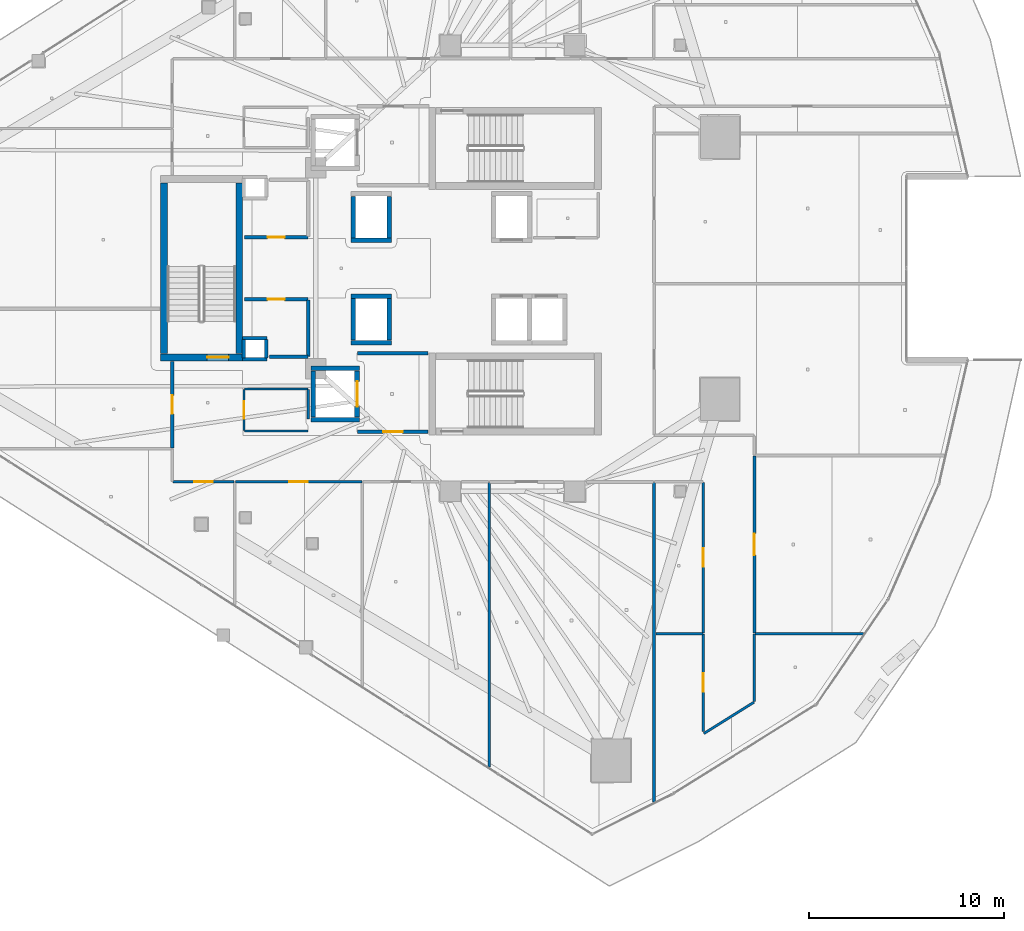
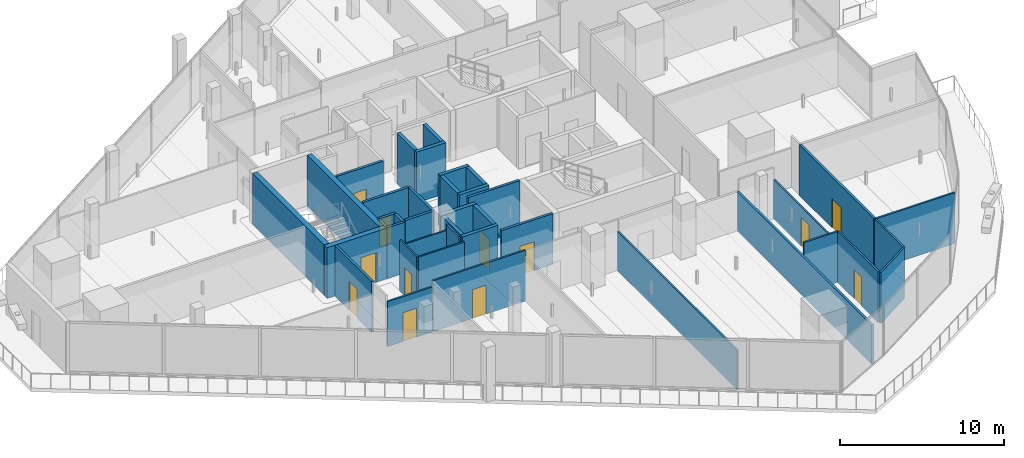
# One storey, part 23 of 35: 40 walls, 12 doors, 12 openings.
"""IFC4 building model written with IfcOpenShell, lengths in metres."""

from ifc_helpers import new_model, si_unit, direction, frame, frame_2d, origin, place, context, subcontext, project, spatial, rectangle, extrude, material, layer, layer_set, type_object, element, fill, save


model = new_model("IFC4")

# Units and contexts
model_context = context("Model", 3, precision=1e-05, world=origin(), true_north=direction((0.0, 1.0)))
body_context = subcontext(model_context, "Body", "Model", "MODEL_VIEW")
ifc_project = project(units=[si_unit("LENGTHUNIT", "METRE"), si_unit("AREAUNIT", "SQUARE_METRE"), si_unit("VOLUMEUNIT", "CUBIC_METRE"), si_unit("PLANEANGLEUNIT", "RADIAN"), si_unit("MASSUNIT", "GRAM", prefix="KILO")], contexts=[model_context])

# Site, building, storey
site_placement = place(None, origin())
site = spatial("IfcSite", under=ifc_project, at=site_placement, CompositionType="ELEMENT")
building_placement = place(site_placement, origin())
building = spatial("IfcBuilding", under=site, at=building_placement, Name="Qorvath Tower", CompositionType="ELEMENT")
storey_placement = place(building_placement, frame((0.0, 0.0, 166.5)))
storey = spatial("IfcBuildingStorey", under=building, at=storey_placement, Name="L38", CompositionType="ELEMENT", Elevation=166.5)

# Walls
ifc_material_1 = material(Name="Gypsum shaftliner on steel studs", Category="steel")
ifc_layer_1 = layer(ifc_material_1, 0.179931640625)
ifc_layer_set_1 = layer_set([ifc_layer_1], Name="FW-LOBBY")
wall_type_1 = type_object("IfcWallType", Name="FW-LOBBY", PredefinedType="PARTITIONING", material=ifc_layer_set_1)
for number, where, z_axis, x_axis, name in (
    (1, (-32.989990234375, -4.675048828125, 0.0), (0.0, 0.0, 1.0), (-1.0, 0.0, 0.0), "MEP Riser Shaft Enclosure Wall S-L38-S"),
    (2, (-34.260009765625, -3.594970703125, 0.0), (0.0, 0.0, 1.0), (1.0, 0.0, 0.0), "MEP Riser Shaft Enclosure Wall S-L38-N"),
):
    element("IfcWall", number, at=place(storey_placement, frame(where, z_axis=z_axis, x_axis=x_axis)), inside=storey, type_object=wall_type_1, Name=name, PredefinedType="PARTITIONING", context=body_context, shape_type="SweptSolid", body=[
        extrude(rectangle(XDim=1.27001953125, YDim=0.179931640625, at=frame_2d((0.635009765625, 0.0))), origin(), (0.0, 0.0, 1.0), 3.780029296875),
    ])
for number, where, z_axis, x_axis, name in (
    (3, (-34.205078125, -4.610107421875, 0.0), (0.0, 0.0, 1.0), (0.0, 1.0, 0.0), "MEP Riser Shaft Enclosure Wall S-L38-W"),
    (4, (-33.044921875, -3.659912109375, 0.0), (0.0, 0.0, 1.0), (0.0, -1.0, 0.0), "MEP Riser Shaft Enclosure Wall S-L38-E"),
):
    element("IfcWall", number, at=place(storey_placement, frame(where, z_axis=z_axis, x_axis=x_axis)), inside=storey, type_object=wall_type_1, Name=name, PredefinedType="PARTITIONING", context=body_context, shape_type="SweptSolid", body=[
        extrude(rectangle(XDim=0.9501953125, YDim=0.179931640625, at=frame_2d((0.47509765625, 0.0))), origin(), (0.0, 0.0, 1.0), 3.780029296875),
    ])

# Wall, opening, door
wall_1_placement = place(storey_placement, frame((-28.35498046875, -8.39990234375, 0.0), z_axis=(0.0, 0.0, 1.0), x_axis=(1.0, 0.0, 0.0)))
wall_1 = element("IfcWall", 5, at=wall_1_placement, inside=storey, type_object=wall_type_1, Name="Interior Partition IW-T1-L38-003", PredefinedType="PARTITIONING", context=body_context, shape_type="SweptSolid", body=[
    extrude(rectangle(XDim=3.6220703125, YDim=0.179931640625, at=frame_2d((1.81103515625, 0.0))), origin(), (0.0, 0.0, 1.0), 3.780029296875),
])
opening_1_placement = place(wall_1_placement, frame((1.31103515625, 0.0, 0.0)))
opening_1 = element("IfcOpeningElement", 6, at=opening_1_placement, cuts=wall_1, Name="Opening D-T1-L38-24", PredefinedType="OPENING", context=body_context, shape_type="SweptSolid", body=[
    extrude(rectangle(XDim=1.0, YDim=2.14990234375, at=frame_2d((0.5, 1.074951171875))), frame((0.0, 0.10009765625, 0.0), z_axis=(0.0, -1.0, 0.0), x_axis=(1.0, 0.0, 0.0)), (0.0, 0.0, 1.0), 0.199951171875),
])
ifc_material_2 = material(Name="Painted galvanised hollow metal", Category="steel")
door_type_1 = type_object("IfcDoorType", Name="FD-60", OperationType="NOTDEFINED", PredefinedType="DOOR", material=ifc_material_2)
door_1_placement = place(opening_1_placement, origin())
door_1 = element("IfcDoor", 7, at=door_1_placement, inside=storey, type_object=door_type_1, Name="Lobby Fire Service Elevator South Door D-T1-L38-24", OperationType="SINGLE_SWING_LEFT", OverallHeight=2.14990234375, OverallWidth=1.0, PredefinedType="DOOR", context=body_context, shape_type="SweptSolid", body=[
    extrude(rectangle(XDim=1.0, YDim=2.14990234375, at=frame_2d((0.5, 1.074951171875))), frame((0.0, 0.02490234375, 0.0), z_axis=(0.0, -1.0, 0.0), x_axis=(1.0, 0.0, 0.0)), (0.0, 0.0, 1.0), 0.050048828125),
])
fill(opening_1, door_1)

# Wall
wall_2_placement = place(storey_placement, frame((-24.73291015625, -4.35009765625, 0.0), z_axis=(0.0, 0.0, 1.0), x_axis=(-1.0, 0.0, 0.0)))
element("IfcWall", 8, at=wall_2_placement, inside=storey, type_object=wall_type_1, Name="Interior Partition IW-T1-L38-004", PredefinedType="PARTITIONING", context=body_context, shape_type="SweptSolid", body=[
    extrude(rectangle(XDim=3.6220703125, YDim=0.179931640625, at=frame_2d((1.81103515625, 0.0))), origin(), (0.0, 0.0, 1.0), 3.780029296875),
])

# Wall, opening, door
wall_3_placement = place(storey_placement, frame((-34.15478515625, 1.60009765625, 0.0), z_axis=(0.0, 0.0, 1.0), x_axis=(1.0, 0.0, 0.0)))
wall_3 = element("IfcWall", 9, at=wall_3_placement, inside=storey, type_object=wall_type_1, Name="Interior Partition IW-T1-L38-015", PredefinedType="PARTITIONING", context=body_context, shape_type="SweptSolid", body=[
    extrude(rectangle(XDim=3.25, YDim=0.179931640625, at=frame_2d((1.625, 0.0))), origin(), (0.0, 0.0, 1.0), 3.780029296875),
])
opening_2_placement = place(wall_3_placement, frame((1.18505859375, 0.0, 0.0)))
opening_2 = element("IfcOpeningElement", 10, at=opening_2_placement, cuts=wall_3, Name="Opening D-T1-L38-04", PredefinedType="OPENING", context=body_context, shape_type="SweptSolid", body=[
    extrude(rectangle(XDim=0.8798828125, YDim=2.10009765625, at=frame_2d((0.43994140625, 1.050048828125))), frame((0.0, 0.10009765625, 0.0), z_axis=(0.0, -1.0, 0.0), x_axis=(1.0, 0.0, 0.0)), (0.0, 0.0, 1.0), 0.199951171875),
])
ifc_material_3 = material(Name="Painted galvanised hollow metal", Category="steel")
door_type_2 = type_object("IfcDoorType", Name="FD-60N", OperationType="NOTDEFINED", PredefinedType="DOOR", material=ifc_material_3)
door_2_placement = place(opening_2_placement, origin())
door_2 = element("IfcDoor", 11, at=door_2_placement, inside=storey, type_object=door_type_2, Name="Core telecom and comms room L38 Door D-T1-L38-04", OperationType="SINGLE_SWING_LEFT", OverallHeight=2.10009765625, OverallWidth=0.8798828125, PredefinedType="DOOR", context=body_context, shape_type="SweptSolid", body=[
    extrude(rectangle(XDim=0.8798828125, YDim=2.10009765625, at=frame_2d((0.43994140625, 1.050048828125))), frame((0.0, 0.02490234375, 0.0), z_axis=(0.0, -1.0, 0.0), x_axis=(1.0, 0.0, 0.0)), (0.0, 0.0, 1.0), 0.050048828125),
])
fill(opening_2, door_2)

# Walls
wall_4_placement = place(storey_placement, frame((-32.8798828125, -4.5400390625, 0.0), z_axis=(0.0, 0.0, 1.0), x_axis=(1.0, 0.0, 0.0)))
element("IfcWall", 12, at=wall_4_placement, inside=storey, type_object=wall_type_1, Name="Interior Partition IW-T1-L38-018", PredefinedType="PARTITIONING", context=body_context, shape_type="SweptSolid", body=[
    extrude(rectangle(XDim=1.97509765625, YDim=0.179931640625, at=frame_2d((0.987548828125, 0.0))), origin(), (0.0, 0.0, 1.0), 3.780029296875),
])
wall_5_placement = place(storey_placement, frame((-30.8798828125, -4.514892578125, 0.0), z_axis=(0.0, 0.0, 1.0), x_axis=(0.0, 1.0, 0.0)))
element("IfcWall", 13, at=wall_5_placement, inside=storey, type_object=wall_type_1, Name="Interior Partition IW-T1-L38-019", PredefinedType="PARTITIONING", context=body_context, shape_type="SweptSolid", body=[
    extrude(rectangle(XDim=2.889892578125, YDim=0.179931640625, at=frame_2d((1.44482421875, 0.0))), origin(), (0.0, 0.0, 1.0), 3.780029296875),
])

# Wall, opening, door
wall_6_placement = place(storey_placement, frame((-30.90478515625, -1.60009765625, 0.0), z_axis=(0.0, 0.0, 1.0), x_axis=(-1.0, 0.0, 0.0)))
wall_6 = element("IfcWall", 14, at=wall_6_placement, inside=storey, type_object=wall_type_1, Name="Interior Partition IW-T1-L38-020", PredefinedType="PARTITIONING", context=body_context, shape_type="SweptSolid", body=[
    extrude(rectangle(XDim=3.25, YDim=0.179931640625, at=frame_2d((1.625, 0.0))), origin(), (0.0, 0.0, 1.0), 3.780029296875),
])
opening_3_placement = place(wall_6_placement, frame((1.18505859375, 0.0, 0.0)))
opening_3 = element("IfcOpeningElement", 15, at=opening_3_placement, cuts=wall_6, Name="Opening D-T1-L38-05", PredefinedType="OPENING", context=body_context, shape_type="SweptSolid", body=[
    extrude(rectangle(XDim=0.8798828125, YDim=2.10009765625, at=frame_2d((0.43994140625, 1.050048828125))), frame((0.0, 0.10009765625, 0.0), z_axis=(0.0, -1.0, 0.0), x_axis=(1.0, 0.0, 0.0)), (0.0, 0.0, 1.0), 0.199951171875),
])
door_3_placement = place(opening_3_placement, origin())
door_3 = element("IfcDoor", 16, at=door_3_placement, inside=storey, type_object=door_type_2, Name="Core housekeeping store L38 Door D-T1-L38-05", OperationType="SINGLE_SWING_RIGHT", OverallHeight=2.10009765625, OverallWidth=0.8798828125, PredefinedType="DOOR", context=body_context, shape_type="SweptSolid", body=[
    extrude(rectangle(XDim=0.8798828125, YDim=2.10009765625, at=frame_2d((0.43994140625, 1.050048828125))), frame((0.0, 0.02490234375, 0.0), z_axis=(0.0, -1.0, 0.0), x_axis=(1.0, 0.0, 0.0)), (0.0, 0.0, 1.0), 0.050048828125),
])
fill(opening_3, door_3)

# Wall
ifc_material_4 = material(Name="Double acoustic gypsum board on steel studs", Category="steel")
ifc_layer_2 = layer(ifc_material_4, 0.159912109375)
ifc_layer_set_2 = layer_set([ifc_layer_2], Name="IW-ACOUSTIC-160")
wall_type_2 = type_object("IfcWallType", Name="IW-ACOUSTIC-160", PredefinedType="PARTITIONING", material=ifc_layer_set_2)
wall_7_placement = place(storey_placement, frame((-13.14990234375, -27.37939453125, 0.0), z_axis=(0.0, 0.0, 1.0), x_axis=(0.0, 1.0, 0.0)))
element("IfcWall", 17, at=wall_7_placement, inside=storey, type_object=wall_type_2, Name="Interior Partition IW-T1-L38-040", PredefinedType="PARTITIONING", context=body_context, shape_type="SweptSolid", body=[
    extrude(rectangle(XDim=16.396484375, YDim=0.159912109375, at=frame_2d((8.1982421875, 0.0))), origin(), (0.0, 0.0, 1.0), 2.89990234375),
])

# Wall, opening, door
wall_8_placement = place(storey_placement, frame((-7.991943359375, -9.626708984375, 0.0), z_axis=(0.0, 0.0, 1.0), x_axis=(0.0, -1.0, 0.0)))
wall_8 = element("IfcWall", 18, at=wall_8_placement, inside=storey, type_object=wall_type_2, Name="Interior Partition IW-T1-L38-048", PredefinedType="PARTITIONING", context=body_context, shape_type="SweptSolid", body=[
    extrude(rectangle(XDim=9.08447265625, YDim=0.159912109375, at=frame_2d((4.542236328125, 0.0))), origin(), (0.0, 0.0, 1.0), 3.780029296875),
])
opening_4_placement = place(wall_8_placement, frame((3.9921875, 0.0, 0.0)))
opening_4 = element("IfcOpeningElement", 19, at=opening_4_placement, cuts=wall_8, Name="Opening D-T1-L38-14", PredefinedType="OPENING", context=body_context, shape_type="SweptSolid", body=[
    extrude(rectangle(XDim=1.10009765625, YDim=2.14990234375, at=frame_2d((0.550048828125, 1.074951171875))), frame((0.0, 0.08984375, 0.0), z_axis=(0.0, -1.0, 0.0), x_axis=(1.0, 0.0, 0.0)), (0.0, 0.0, 1.0), 0.179931640625),
])
ifc_material_5 = material(Name="Anodised aluminium acoustic framed glass", Category="aluminium")
door_type_3 = type_object("IfcDoorType", Name="D-03", OperationType="NOTDEFINED", PredefinedType="DOOR", material=ifc_material_5)
door_4_placement = place(opening_4_placement, origin())
door_4 = element("IfcDoor", 20, at=door_4_placement, inside=storey, type_object=door_type_3, Name="L38-09 Team Project Office Door D-T1-L38-14", OperationType="SINGLE_SWING_LEFT", OverallHeight=2.14990234375, OverallWidth=1.10009765625, PredefinedType="DOOR", context=body_context, shape_type="SweptSolid", body=[
    extrude(rectangle(XDim=1.10009765625, YDim=2.14990234375, at=frame_2d((0.550048828125, 1.074951171875))), frame((0.0, 0.02490234375, 0.0), z_axis=(0.0, -1.0, 0.0), x_axis=(1.0, 0.0, 0.0)), (0.0, 0.0, 1.0), 0.050048828125),
])
fill(opening_4, door_4)

wall_9_placement = place(storey_placement, frame((-37.85791015625, -9.21728515625, 0.0), z_axis=(0.0, 0.0, 1.0), x_axis=(0.0, 1.0, 0.0)))
wall_9 = element("IfcWall", 21, at=wall_9_placement, inside=storey, type_object=wall_type_2, Name="Interior Partition IW-T1-L38-064", PredefinedType="PARTITIONING", context=body_context, shape_type="SweptSolid", body=[
    extrude(rectangle(XDim=4.43408203125, YDim=0.159912109375, at=frame_2d((2.217041015625, 0.0))), origin(), (0.0, 0.0, 1.0), 3.780029296875),
])
opening_5_placement = place(wall_9_placement, frame((1.741943359375, 0.0, 0.0)))
opening_5 = element("IfcOpeningElement", 22, at=opening_5_placement, cuts=wall_9, Name="Opening D-T1-L38-20", PredefinedType="OPENING", context=body_context, shape_type="SweptSolid", body=[
    extrude(rectangle(XDim=0.949951171875, YDim=2.14990234375, at=frame_2d((0.47509765625, 1.074951171875))), frame((0.0, 0.08984375, 0.0), z_axis=(0.0, -1.0, 0.0), x_axis=(1.0, 0.0, 0.0)), (0.0, 0.0, 1.0), 0.179931640625),
])
ifc_material_6 = material(Name="Solid-core American white oak veneer", Category="wood")
door_type_4 = type_object("IfcDoorType", Name="D-01", OperationType="NOTDEFINED", PredefinedType="DOOR", material=ifc_material_6)
door_5_placement = place(opening_5_placement, origin())
door_5 = element("IfcDoor", 23, at=door_5_placement, inside=storey, type_object=door_type_4, Name="L38-15 Staff Wellness Studio Door D-T1-L38-20", OperationType="SINGLE_SWING_LEFT", OverallHeight=2.14990234375, OverallWidth=0.949951171875, PredefinedType="DOOR", context=body_context, shape_type="SweptSolid", body=[
    extrude(rectangle(XDim=0.949951171875, YDim=2.14990234375, at=frame_2d((0.47509765625, 1.074951171875))), frame((0.0, 0.02490234375, 0.0), z_axis=(0.0, -1.0, 0.0), x_axis=(1.0, 0.0, 0.0)), (0.0, 0.0, 1.0), 0.050048828125),
])
fill(opening_5, door_5)

ifc_material_7 = material(Name="Gypsum board on metal studs with mineral wool", Category="gypsum")
ifc_layer_3 = layer(ifc_material_7, 0.125)
ifc_layer_set_3 = layer_set([ifc_layer_3], Name="IW-PART-125")
wall_type_3 = type_object("IfcWallType", Name="IW-PART-125", PredefinedType="PARTITIONING", material=ifc_layer_set_3)
wall_10_placement = place(storey_placement, frame((-28.126708984375, -10.9580078125, 0.0), z_axis=(0.0, 0.0, 1.0), x_axis=(-1.0, 0.0, 0.0)))
wall_10 = element("IfcWall", 24, at=wall_10_placement, inside=storey, type_object=wall_type_3, Name="Interior Partition IW-T1-L38-034", PredefinedType="PARTITIONING", context=body_context, shape_type="SweptSolid", body=[
    extrude(rectangle(XDim=6.498291015625, YDim=0.125, at=frame_2d((3.2490234375, 0.0))), origin(), (0.0, 0.0, 1.0), 3.780029296875),
])
opening_6_placement = place(wall_10_placement, frame((2.774169921875, 0.0, 0.0)))
opening_6 = element("IfcOpeningElement", 25, at=opening_6_placement, cuts=wall_10, Name="Opening D-T1-L38-10", PredefinedType="OPENING", context=body_context, shape_type="SweptSolid", body=[
    extrude(rectangle(XDim=0.949951171875, YDim=2.14990234375, at=frame_2d((0.47509765625, 1.074951171875))), frame((0.0, 0.072509765625, 0.0), z_axis=(0.0, -1.0, 0.0), x_axis=(1.0, 0.0, 0.0)), (0.0, 0.0, 1.0), 0.14501953125),
])
door_6_placement = place(opening_6_placement, origin())
door_6 = element("IfcDoor", 26, at=door_6_placement, inside=storey, type_object=door_type_4, Name="L38-05 Executive Partner Office Door D-T1-L38-10", OperationType="SINGLE_SWING_LEFT", OverallHeight=2.14990234375, OverallWidth=0.949951171875, PredefinedType="DOOR", context=body_context, shape_type="SweptSolid", body=[
    extrude(rectangle(XDim=0.949951171875, YDim=2.14990234375, at=frame_2d((0.47509765625, 1.074951171875))), frame((0.0, 0.02490234375, 0.0), z_axis=(0.0, -1.0, 0.0), x_axis=(1.0, 0.0, 0.0)), (0.0, 0.0, 1.0), 0.050048828125),
])
fill(opening_6, door_6)

# Walls
wall_11_placement = place(storey_placement, frame((-21.606201171875, -25.58447265625, 0.0), z_axis=(0.0, 0.0, 1.0), x_axis=(0.0, 1.0, 0.0)))
element("IfcWall", 27, at=wall_11_placement, inside=storey, type_object=wall_type_3, Name="Interior Partition IW-T1-L38-037", PredefinedType="PARTITIONING", context=body_context, shape_type="SweptSolid", body=[
    extrude(rectangle(XDim=14.6015625, YDim=0.125, at=frame_2d((7.30078125, 0.0))), origin(), (0.0, 0.0, 1.0), 2.89501953125),
])
wall_12_placement = place(storey_placement, frame((-2.39990234375, -18.744140625, 0.0), z_axis=(0.0, 0.0, 1.0), x_axis=(-1.0, 0.0, 0.0)))
element("IfcWall", 28, at=wall_12_placement, inside=storey, type_object=wall_type_3, Name="Interior Partition IW-T1-L38-042", PredefinedType="PARTITIONING", context=body_context, shape_type="SweptSolid", body=[
    extrude(rectangle(XDim=5.56689453125, YDim=0.125, at=frame_2d((2.783447265625, 0.0))), origin(), (0.0, 0.0, 1.0), 3.780029296875),
])
wall_13_placement = place(storey_placement, frame((-7.991943359375, -22.2255859375, 0.0), z_axis=(0.0, 0.0, 1.0), x_axis=(0.0, 1.0, 0.0)))
element("IfcWall", 29, at=wall_13_placement, inside=storey, type_object=wall_type_3, Name="Interior Partition IW-T1-L38-043", PredefinedType="PARTITIONING", context=body_context, shape_type="SweptSolid", body=[
    extrude(rectangle(XDim=3.45654296875, YDim=0.125, at=frame_2d((1.728271484375, 0.0))), origin(), (0.0, 0.0, 1.0), 3.780029296875),
])
wall_14_placement = place(storey_placement, frame((-10.586669921875, -23.86962890625, 0.0), z_axis=(0.0, 0.0, 1.0), x_axis=(0.848364341402, 0.529412829688, 0.0)))
element("IfcWall", 30, at=wall_14_placement, inside=storey, type_object=wall_type_3, Name="Interior Partition IW-T1-L38-044", PredefinedType="PARTITIONING", context=body_context, shape_type="SweptSolid", body=[
    extrude(rectangle(XDim=3.033447265625, YDim=0.125, at=frame_2d((1.5166015625, 0.0))), origin(), (0.0, 0.0, 1.0), 3.780029296875),
])

# Wall, opening, door
wall_15_placement = place(storey_placement, frame((-10.60791015625, -18.76904296875, 0.0), z_axis=(0.0, 0.0, 1.0), x_axis=(0.0, -1.0, 0.0)))
wall_15 = element("IfcWall", 31, at=wall_15_placement, inside=storey, type_object=wall_type_3, Name="Interior Partition IW-T1-L38-045", PredefinedType="PARTITIONING", context=body_context, shape_type="SweptSolid", body=[
    extrude(rectangle(XDim=4.988525390625, YDim=0.125, at=frame_2d((2.494140625, 0.0))), origin(), (0.0, 0.0, 1.0), 3.780029296875),
])
opening_7_placement = place(wall_15_placement, frame((2.019287109375, 0.0, 0.0)))
opening_7 = element("IfcOpeningElement", 32, at=opening_7_placement, cuts=wall_15, Name="Opening D-T1-L38-13", PredefinedType="OPENING", context=body_context, shape_type="SweptSolid", body=[
    extrude(rectangle(XDim=0.949951171875, YDim=2.14990234375, at=frame_2d((0.47509765625, 1.074951171875))), frame((0.0, 0.072509765625, 0.0), z_axis=(0.0, -1.0, 0.0), x_axis=(1.0, 0.0, 0.0)), (0.0, 0.0, 1.0), 0.14501953125),
])
door_7_placement = place(opening_7_placement, origin())
door_7 = element("IfcDoor", 33, at=door_7_placement, inside=storey, type_object=door_type_4, Name="L38-08 Quantitative Research Studio Door D-T1-L38-13", OperationType="SINGLE_SWING_RIGHT", OverallHeight=2.14990234375, OverallWidth=0.949951171875, PredefinedType="DOOR", context=body_context, shape_type="SweptSolid", body=[
    extrude(rectangle(XDim=0.949951171875, YDim=2.14990234375, at=frame_2d((0.47509765625, 1.074951171875))), frame((0.0, 0.02490234375, 0.0), z_axis=(0.0, -1.0, 0.0), x_axis=(1.0, 0.0, 0.0)), (0.0, 0.0, 1.0), 0.050048828125),
])
fill(opening_7, door_7)

# Wall
wall_16_placement = place(storey_placement, frame((-10.6328125, -18.744140625, 0.0), z_axis=(0.0, 0.0, 1.0), x_axis=(-1.0, 0.0, 0.0)))
element("IfcWall", 34, at=wall_16_placement, inside=storey, type_object=wall_type_3, Name="Interior Partition IW-T1-L38-046", PredefinedType="PARTITIONING", context=body_context, shape_type="SweptSolid", body=[
    extrude(rectangle(XDim=2.406982421875, YDim=0.125, at=frame_2d((1.20361328125, 0.0))), origin(), (0.0, 0.0, 1.0), 3.780029296875),
])

# Wall, opening, door
wall_17_placement = place(storey_placement, frame((-10.60791015625, -18.711181640625, 0.0), z_axis=(0.0, 0.0, 1.0), x_axis=(0.0, 1.0, 0.0)))
wall_17 = element("IfcWall", 35, at=wall_17_placement, inside=storey, type_object=wall_type_3, Name="Interior Partition IW-T1-L38-049", PredefinedType="PARTITIONING", context=body_context, shape_type="SweptSolid", body=[
    extrude(rectangle(XDim=7.728271484375, YDim=0.125, at=frame_2d((3.8642578125, 0.0))), origin(), (0.0, 0.0, 1.0), 2.89990234375),
])
opening_8_placement = place(wall_17_placement, frame((3.38916015625, 0.0, 0.0)))
opening_8 = element("IfcOpeningElement", 36, at=opening_8_placement, cuts=wall_17, Name="Opening D-T1-L38-15", PredefinedType="OPENING", context=body_context, shape_type="SweptSolid", body=[
    extrude(rectangle(XDim=0.949951171875, YDim=2.14990234375, at=frame_2d((0.47509765625, 1.074951171875))), frame((0.0, 0.072509765625, 0.0), z_axis=(0.0, -1.0, 0.0), x_axis=(1.0, 0.0, 0.0)), (0.0, 0.0, 1.0), 0.14501953125),
])
door_8_placement = place(opening_8_placement, origin())
door_8 = element("IfcDoor", 37, at=door_8_placement, inside=storey, type_object=door_type_4, Name="L38-10 Engineering Documentation Suite Door D-T1-L38-15", OperationType="SINGLE_SWING_RIGHT", OverallHeight=2.14990234375, OverallWidth=0.949951171875, PredefinedType="DOOR", context=body_context, shape_type="SweptSolid", body=[
    extrude(rectangle(XDim=0.949951171875, YDim=2.14990234375, at=frame_2d((0.47509765625, 1.074951171875))), frame((0.0, 0.02490234375, 0.0), z_axis=(0.0, -1.0, 0.0), x_axis=(1.0, 0.0, 0.0)), (0.0, 0.0, 1.0), 0.050048828125),
])
fill(opening_8, door_8)

wall_18_placement = place(storey_placement, frame((-34.68310546875, -10.9580078125, 0.0), z_axis=(0.0, 0.0, 1.0), x_axis=(-1.0, 0.0, 0.0)))
wall_18 = element("IfcWall", 38, at=wall_18_placement, inside=storey, type_object=wall_type_3, Name="Interior Partition IW-T1-L38-061", PredefinedType="PARTITIONING", context=body_context, shape_type="SweptSolid", body=[
    extrude(rectangle(XDim=3.14990234375, YDim=0.125, at=frame_2d((1.574951171875, 0.0))), origin(), (0.0, 0.0, 1.0), 3.34375),
])
opening_9_placement = place(wall_18_placement, frame((1.099853515625, 0.0, 0.0)))
opening_9 = element("IfcOpeningElement", 39, at=opening_9_placement, cuts=wall_18, Name="Opening D-T1-L38-19", PredefinedType="OPENING", context=body_context, shape_type="SweptSolid", body=[
    extrude(rectangle(XDim=0.949951171875, YDim=2.14990234375, at=frame_2d((0.47509765625, 1.074951171875))), frame((0.0, 0.072509765625, 0.0), z_axis=(0.0, -1.0, 0.0), x_axis=(1.0, 0.0, 0.0)), (0.0, 0.0, 1.0), 0.14501953125),
])
door_9_placement = place(opening_9_placement, origin())
door_9 = element("IfcDoor", 40, at=door_9_placement, inside=storey, type_object=door_type_4, Name="L38-14 Project Collaboration Workspace Door D-T1-L38-19", OperationType="SINGLE_SWING_RIGHT", OverallHeight=2.14990234375, OverallWidth=0.949951171875, PredefinedType="DOOR", context=body_context, shape_type="SweptSolid", body=[
    extrude(rectangle(XDim=0.949951171875, YDim=2.14990234375, at=frame_2d((0.47509765625, 1.074951171875))), frame((0.0, 0.02490234375, 0.0), z_axis=(0.0, -1.0, 0.0), x_axis=(1.0, 0.0, 0.0)), (0.0, 0.0, 1.0), 0.050048828125),
])
fill(opening_9, door_9)

ifc_material_8 = material(Name="Moisture-resistant cement board on metal studs", Category="gypsum")
ifc_layer_4 = layer(ifc_material_8, 0.110107421875)
ifc_layer_set_4 = layer_set([ifc_layer_4], Name="IW-WC-110")
wall_type_4 = type_object("IfcWallType", Name="IW-WC-110", PredefinedType="PARTITIONING", material=ifc_layer_set_4)
wall_19_placement = place(storey_placement, frame((-34.179931640625, -6.22509765625, 0.0), z_axis=(0.0, 0.0, 1.0), x_axis=(0.0, -1.0, 0.0)))
wall_19 = element("IfcWall", 41, at=wall_19_placement, inside=storey, type_object=wall_type_4, Name="Interior Partition IW-T1-L38-009", PredefinedType="PARTITIONING", context=body_context, shape_type="SweptSolid", body=[
    extrude(rectangle(XDim=2.10009765625, YDim=0.110107421875, at=frame_2d((1.050048828125, 0.0))), origin(), (0.0, 0.0, 1.0), 3.780029296875),
])
opening_10_placement = place(wall_19_placement, frame((0.610107421875, 0.0, 0.0)))
opening_10 = element("IfcOpeningElement", 42, at=opening_10_placement, cuts=wall_19, Name="Opening D-T1-L38-02", PredefinedType="OPENING", context=body_context, shape_type="SweptSolid", body=[
    extrude(rectangle(XDim=0.8798828125, YDim=2.10009765625, at=frame_2d((0.43994140625, 1.050048828125))), frame((0.0, 0.06494140625, 0.0), z_axis=(0.0, -1.0, 0.0), x_axis=(1.0, 0.0, 0.0)), (0.0, 0.0, 1.0), 0.130126953125),
])
ifc_material_9 = material(Name="Solid-core oak with acoustic drop seal", Category="wood")
door_type_5 = type_object("IfcDoorType", Name="D-02", OperationType="NOTDEFINED", PredefinedType="DOOR", material=ifc_material_9)
door_10_placement = place(opening_10_placement, origin())
door_10 = element("IfcDoor", 43, at=door_10_placement, inside=storey, type_object=door_type_5, Name="Accessible WC South L38 Door D-T1-L38-02", OperationType="SINGLE_SWING_LEFT", OverallHeight=2.10009765625, OverallWidth=0.8798828125, PredefinedType="DOOR", context=body_context, shape_type="SweptSolid", body=[
    extrude(rectangle(XDim=0.8798828125, YDim=2.10009765625, at=frame_2d((0.43994140625, 1.050048828125))), frame((0.0, 0.02490234375, 0.0), z_axis=(0.0, -1.0, 0.0), x_axis=(1.0, 0.0, 0.0)), (0.0, 0.0, 1.0), 0.050048828125),
])
fill(opening_10, door_10)

# Walls
wall_20_placement = place(storey_placement, frame((-34.15478515625, -8.35009765625, 0.0), z_axis=(0.0, 0.0, 1.0), x_axis=(1.0, 0.0, 0.0)))
element("IfcWall", 44, at=wall_20_placement, inside=storey, type_object=wall_type_4, Name="Interior Partition IW-T1-L38-010", PredefinedType="PARTITIONING", context=body_context, shape_type="SweptSolid", body=[
    extrude(rectangle(XDim=3.25, YDim=0.110107421875, at=frame_2d((1.625, 0.0))), origin(), (0.0, 0.0, 1.0), 3.780029296875),
])
wall_21_placement = place(storey_placement, frame((-30.8798828125, -7.742919921875, 0.0), z_axis=(0.0, 0.0, 1.0), x_axis=(0.0, 1.0, 0.0)))
element("IfcWall", 45, at=wall_21_placement, inside=storey, type_object=wall_type_4, Name="Interior Partition IW-T1-L38-011", PredefinedType="PARTITIONING", context=body_context, shape_type="SweptSolid", body=[
    extrude(rectangle(XDim=1.517822265625, YDim=0.110107421875, at=frame_2d((0.7587890625, 0.0))), origin(), (0.0, 0.0, 1.0), 3.780029296875),
])
wall_22_placement = place(storey_placement, frame((-30.90478515625, -6.199951171875, 0.0), z_axis=(0.0, 0.0, 1.0), x_axis=(-1.0, 0.0, 0.0)))
element("IfcWall", 46, at=wall_22_placement, inside=storey, type_object=wall_type_4, Name="Interior Partition IW-T1-L38-012", PredefinedType="PARTITIONING", context=body_context, shape_type="SweptSolid", body=[
    extrude(rectangle(XDim=3.25, YDim=0.110107421875, at=frame_2d((1.625, 0.0))), origin(), (0.0, 0.0, 1.0), 3.34375),
])
ifc_material_10 = material(Name="Concrete C60/75", Category="concrete")
ifc_layer_5 = layer(ifc_material_10, 0.260009765625)
ifc_layer_set_5 = layer_set([ifc_layer_5], Name="SW-SHAFT")
wall_type_5 = type_object("IfcWallType", Name="SW-SHAFT", PredefinedType="SHEAR", material=ifc_layer_set_5)
for number, where, z_axis, x_axis, name in (
    (47, (-28.260009765625, -7.77001953125, 0.0), (0.0, 0.0, 1.0), (-1.0, 0.0, 0.0), "Hoistway Wall FSAE-2 L38 S"),
    (48, (-30.739990234375, -5.1298828125, 0.0), (0.0, 0.0, 1.0), (1.0, 0.0, 0.0), "Hoistway Wall FSAE-2 L38 N"),
):
    element("IfcWall", number, at=place(storey_placement, frame(where, z_axis=z_axis, x_axis=x_axis)), inside=storey, type_object=wall_type_5, Name=name, PredefinedType="SHEAR", context=body_context, shape_type="SweptSolid", body=[
        extrude(rectangle(XDim=2.47998046875, YDim=0.239990234375, at=frame_2d((1.239990234375, 0.0))), origin(), (0.0, 0.0, 1.0), 3.780029296875),
    ])
wall_23_placement = place(storey_placement, frame((-30.6201171875, -7.637939453125, 0.0), z_axis=(0.0, 0.0, 1.0), x_axis=(0.0, 1.0, 0.0)))
element("IfcWall", 49, at=wall_23_placement, inside=storey, type_object=wall_type_5, Name="Hoistway Wall FSAE-2 L38 W", PredefinedType="SHEAR", context=body_context, shape_type="SweptSolid", body=[
    extrude(rectangle(XDim=2.3759765625, YDim=0.239990234375, at=frame_2d((1.18798828125, 0.0))), origin(), (0.0, 0.0, 1.0), 3.780029296875),
])

# Wall, opening, door
wall_24_placement = place(storey_placement, frame((-28.3798828125, -5.261962890625, 0.0), z_axis=(0.0, 0.0, 1.0), x_axis=(0.0, -1.0, 0.0)))
wall_24 = element("IfcWall", 50, at=wall_24_placement, inside=storey, type_object=wall_type_5, Name="Hoistway Wall FSAE-2 L38 E", PredefinedType="SHEAR", context=body_context, shape_type="SweptSolid", body=[
    extrude(rectangle(XDim=2.3759765625, YDim=0.239990234375, at=frame_2d((1.18798828125, 0.0))), origin(), (0.0, 0.0, 1.0), 3.780029296875),
])
opening_11_placement = place(wall_24_placement, frame((0.5380859375, 0.0, 0.0)))
opening_11 = element("IfcOpeningElement", 51, at=opening_11_placement, cuts=wall_24, Name="Opening LD-FSAE-2-L38", PredefinedType="OPENING", context=body_context, shape_type="SweptSolid", body=[
    extrude(rectangle(XDim=1.300048828125, YDim=2.300048828125, at=frame_2d((0.64990234375, 1.14990234375))), frame((0.0, 0.1298828125, 0.0), z_axis=(0.0, -1.0, 0.0), x_axis=(1.0, 0.0, 0.0)), (0.0, 0.0, 1.0), 0.260009765625),
])
ifc_material_11 = material(Name="Brushed stainless steel AISI 316", Category="steel")
door_type_6 = type_object("IfcDoorType", Name="LD-02", OperationType="NOTDEFINED", PredefinedType="DOOR", material=ifc_material_11)
door_11_placement = place(opening_11_placement, origin())
door_11 = element("IfcDoor", 52, at=door_11_placement, inside=storey, type_object=door_type_6, Name="Elevator Landing Sliding Door LD-FSAE-2-L38", OperationType="DOUBLE_DOOR_SLIDING", OverallHeight=2.300048828125, OverallWidth=1.300048828125, PredefinedType="DOOR", context=body_context, shape_type="SweptSolid", body=[
    extrude(rectangle(XDim=1.300048828125, YDim=2.300048828125, at=frame_2d((0.64990234375, 1.14990234375))), frame((0.0, 0.02490234375, 0.0), z_axis=(0.0, -1.0, 0.0), x_axis=(1.0, 0.0, 0.0)), (0.0, 0.0, 1.0), 0.050048828125),
])
fill(opening_11, door_11)

# Walls
wall_25_placement = place(storey_placement, frame((-26.610107421875, 1.429931640625, 0.0), z_axis=(0.0, 0.0, 1.0), x_axis=(-1.0, 0.0, 0.0)))
element("IfcWall", 53, at=wall_25_placement, inside=storey, type_object=wall_type_5, Name="Hoistway Wall PS-1 L38 S", PredefinedType="SHEAR", context=body_context, shape_type="SweptSolid", body=[
    extrude(rectangle(XDim=2.079833984375, YDim=0.239990234375, at=frame_2d((1.0400390625, 0.0))), origin(), (0.0, 0.0, 1.0), 3.780029296875),
])
for number, where, z_axis, x_axis, name in (
    (54, (-28.570068359375, 1.56201171875, 0.0), (0.0, 0.0, 1.0), (0.0, 1.0, 0.0), "Hoistway Wall PS-1 L38 W"),
    (55, (-26.72998046875, 3.68798828125, 0.0), (0.0, 0.0, 1.0), (0.0, -1.0, 0.0), "Hoistway Wall PS-1 L38 E"),
):
    element("IfcWall", number, at=place(storey_placement, frame(where, z_axis=z_axis, x_axis=x_axis)), inside=storey, type_object=wall_type_5, Name=name, PredefinedType="SHEAR", context=body_context, shape_type="SweptSolid", body=[
        extrude(rectangle(XDim=2.1259765625, YDim=0.239990234375, at=frame_2d((1.06298828125, 0.0))), origin(), (0.0, 0.0, 1.0), 3.780029296875),
    ])
for number, where, z_axis, x_axis, name in (
    (56, (-26.610107421875, -3.820068359375, 0.0), (0.0, 0.0, 1.0), (-1.0, 0.0, 0.0), "Hoistway Wall PS-2 L38 S"),
    (57, (-28.68994140625, -1.429931640625, 0.0), (0.0, 0.0, 1.0), (1.0, 0.0, 0.0), "Hoistway Wall PS-2 L38 N"),
):
    element("IfcWall", number, at=place(storey_placement, frame(where, z_axis=z_axis, x_axis=x_axis)), inside=storey, type_object=wall_type_5, Name=name, PredefinedType="SHEAR", context=body_context, shape_type="SweptSolid", body=[
        extrude(rectangle(XDim=2.079833984375, YDim=0.239990234375, at=frame_2d((1.0400390625, 0.0))), origin(), (0.0, 0.0, 1.0), 3.780029296875),
    ])
for number, where, z_axis, x_axis, name in (
    (58, (-28.570068359375, -3.68798828125, 0.0), (0.0, 0.0, 1.0), (0.0, 1.0, 0.0), "Hoistway Wall PS-2 L38 W"),
    (59, (-26.72998046875, -1.56201171875, 0.0), (0.0, 0.0, 1.0), (0.0, -1.0, 0.0), "Hoistway Wall PS-2 L38 E"),
):
    element("IfcWall", number, at=place(storey_placement, frame(where, z_axis=z_axis, x_axis=x_axis)), inside=storey, type_object=wall_type_5, Name=name, PredefinedType="SHEAR", context=body_context, shape_type="SweptSolid", body=[
        extrude(rectangle(XDim=2.1259765625, YDim=0.239990234375, at=frame_2d((1.06298828125, 0.0))), origin(), (0.0, 0.0, 1.0), 3.780029296875),
    ])

# Wall, opening, door
ifc_material_12 = material(Name="Concrete C60/75", Category="concrete")
ifc_layer_6 = layer(ifc_material_12, 0.35009765625)
ifc_layer_set_6 = layer_set([ifc_layer_6], Name="SW-STAIR")
wall_type_6 = type_object("IfcWallType", Name="SW-STAIR", PredefinedType="SHEAR", material=ifc_layer_set_6)
wall_26_placement = place(storey_placement, frame((-38.4599609375, -4.574951171875, 0.0), z_axis=(0.0, 0.0, 1.0), x_axis=(1.0, 0.0, 0.0)))
wall_26 = element("IfcWall", 60, at=wall_26_placement, inside=storey, type_object=wall_type_6, Name="Stair TS3 Shear Wall L38 NEAR", PredefinedType="SHEAR", context=body_context, shape_type="SweptSolid", body=[
    extrude(rectangle(XDim=4.2099609375, YDim=0.35009765625, at=frame_2d((2.10498046875, 0.0))), origin(), (0.0, 0.0, 1.0), 3.780029296875),
])
opening_12_placement = place(wall_26_placement, frame((2.389892578125, 0.0, 0.0)))
opening_12 = element("IfcOpeningElement", 61, at=opening_12_placement, cuts=wall_26, Name="Opening D-TS3-L38", PredefinedType="OPENING", context=body_context, shape_type="SweptSolid", body=[
    extrude(rectangle(XDim=1.10009765625, YDim=2.199951171875, at=frame_2d((0.550048828125, 1.10009765625))), frame((0.0, 0.18505859375, 0.0), z_axis=(0.0, -1.0, 0.0), x_axis=(1.0, 0.0, 0.0)), (0.0, 0.0, 1.0), 0.3701171875),
])
ifc_material_13 = material(Name="Painted galvanised hollow metal", Category="steel")
door_type_7 = type_object("IfcDoorType", Name="FD-90", OperationType="NOTDEFINED", PredefinedType="DOOR", material=ifc_material_13)
door_12_placement = place(opening_12_placement, origin())
door_12 = element("IfcDoor", 62, at=door_12_placement, inside=storey, type_object=door_type_7, Name="Stair TS3 Fire Door L38", OperationType="SINGLE_SWING_LEFT", OverallHeight=2.199951171875, OverallWidth=1.10009765625, PredefinedType="DOOR", context=body_context, shape_type="SweptSolid", body=[
    extrude(rectangle(XDim=1.10009765625, YDim=2.199951171875, at=frame_2d((0.550048828125, 1.10009765625))), frame((0.0, 0.02490234375, 0.0), z_axis=(0.0, -1.0, 0.0), x_axis=(1.0, 0.0, 0.0)), (0.0, 0.0, 1.0), 0.050048828125),
])
fill(opening_12, door_12)

# Walls
for number, where, z_axis, x_axis, name in (
    (63, (-34.425048828125, -4.385009765625, 0.0), (0.0, 0.0, 1.0), (0.0, 1.0, 0.0), "Stair TS3 Shear Wall L38 LEFT"),
    (64, (-38.284912109375, 4.385009765625, 0.0), (0.0, 0.0, 1.0), (0.0, -1.0, 0.0), "Stair TS3 Shear Wall L38 RIGHT"),
):
    element("IfcWall", number, at=place(storey_placement, frame(where, z_axis=z_axis, x_axis=x_axis)), inside=storey, type_object=wall_type_6, Name=name, PredefinedType="SHEAR", context=body_context, shape_type="SweptSolid", body=[
        extrude(rectangle(XDim=8.77001953125, YDim=0.35009765625, at=frame_2d((4.385009765625, 0.0))), origin(), (0.0, 0.0, 1.0), 3.780029296875),
    ])

save(model, "model.ifc")
